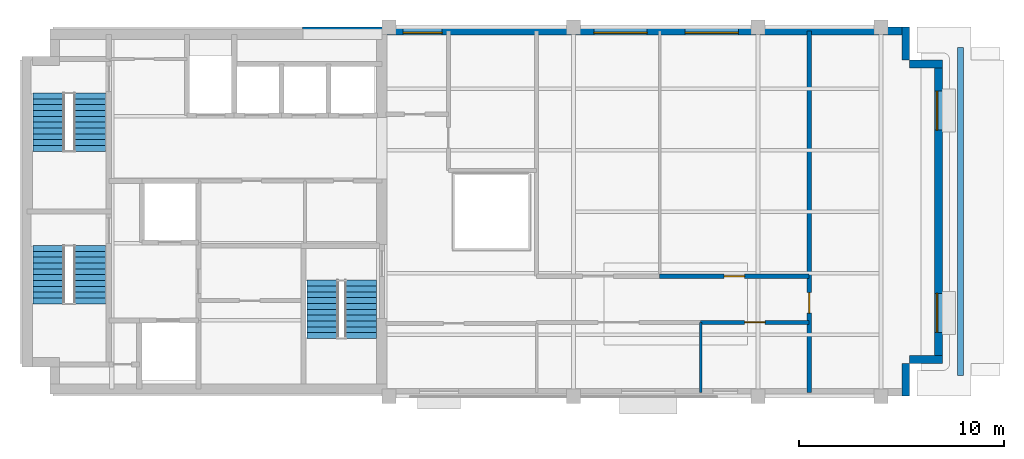
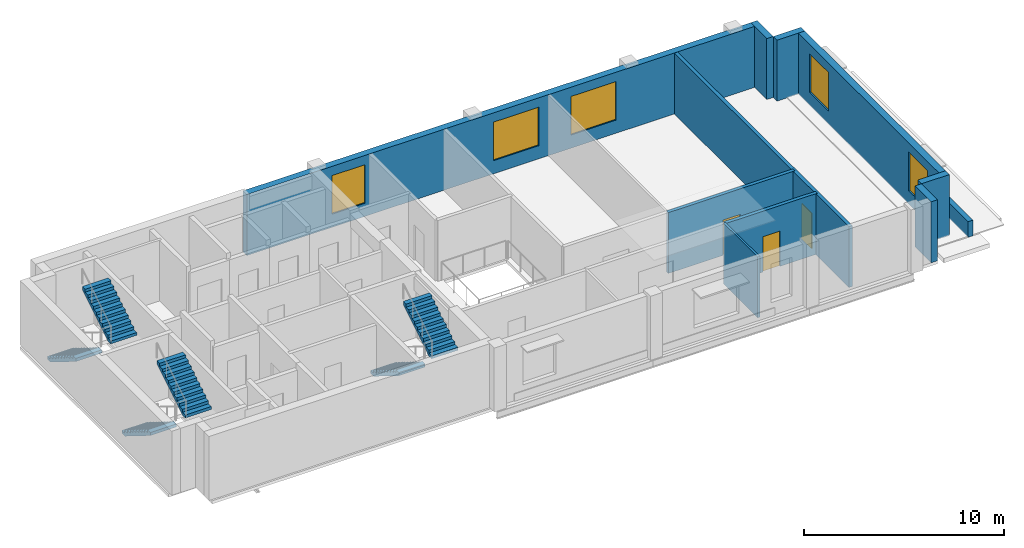
# One storey, part 4 of 5: 11 walls, 6 stair flights, 5 windows, 3 doors, 8 openings, 3 elements without a shape of their own.
"""IFC4 building model written with IfcOpenShell, lengths in metres."""

import ifcopenshell
import ifcopenshell.guid

model = None  # the IFC model being written
_history = None  # IfcOwnerHistory: only IFC2X3 demands one
_inside = {}  # id of a spatial element -> (the spatial element, [elements in it])
_under = {}  # id of a project, library or spatial element -> (it, [spatial elements below it])
_declared = {}  # id of a project -> (the project, [libraries it declares])
_typed = {}  # id of a type object -> (the type object, [elements of that type])
_made_of = {}  # id of a material, layer set ... -> (it, [elements and type objects made of it])


def new_model(schema):
    """Start an empty IFC model of exactly this schema.

    Asked for "IFC4X3", IfcOpenShell would pick the latest addendum, in which some entities
    have other attributes; the version numbers below select the first issue.
    IFC2X3 requires an IfcOwnerHistory on every rooted entity: one is made here for all.
    """
    global model, _history
    if schema == "IFC4X3":
        model = ifcopenshell.file(schema_version=(4, 3, 0, 0))
    else:
        model = ifcopenshell.file(schema=schema)
    _inside.clear()
    _under.clear()
    _declared.clear()
    _typed.clear()
    _made_of.clear()
    _history = None
    if model.schema == "IFC2X3":
        org = make("IfcOrganization", Name="unknown")
        user = make(
            "IfcPersonAndOrganization",
            ThePerson=make("IfcPerson", FamilyName="unknown"),
            TheOrganization=org,
        )
        app = make(
            "IfcApplication",
            ApplicationDeveloper=org,
            Version="unknown",
            ApplicationFullName="unknown",
            ApplicationIdentifier="unknown",
        )
        _history = make(
            "IfcOwnerHistory",
            OwningUser=user,
            OwningApplication=app,
            ChangeAction="ADDED",
            CreationDate=0,
        )
    return model


def make(cls, **values):
    """One entity of the class cls with the attributes given. An attribute that is None is left unset."""
    return model.create_entity(
        cls, **{name: value for name, value in values.items() if value is not None}
    )


def rooted(cls, **values):
    """An entity with a GlobalId (a new one), such as an element, a storey or a relation."""
    return make(cls, GlobalId=ifcopenshell.guid.new(), OwnerHistory=_history, **values)


def si_unit(unit_type, name, prefix=None):
    """IfcSIUnit, for example si_unit("LENGTHUNIT", "METRE", prefix="MILLI")."""
    return make("IfcSIUnit", UnitType=unit_type, Prefix=prefix, Name=name)


def assignment(units):
    """IfcUnitAssignment: the units of a project."""
    return None if units is None else make("IfcUnitAssignment", Units=units)


def point(xyz):
    """IfcCartesianPoint."""
    return None if xyz is None else make("IfcCartesianPoint", Coordinates=xyz)


def direction(xyz):
    """IfcDirection."""
    return None if xyz is None else make("IfcDirection", DirectionRatios=xyz)


def frame(location, z_axis=None, x_axis=None):
    """IfcAxis2Placement3D, a coordinate frame: its origin and axes. An axis left out is left unset."""
    return make(
        "IfcAxis2Placement3D",
        Location=point(location),
        Axis=direction(z_axis),
        RefDirection=direction(x_axis),
    )


def frame_2d(location, x_axis=None):
    """IfcAxis2Placement2D, a coordinate frame in the plane: its origin and x axis."""
    return make(
        "IfcAxis2Placement2D", Location=point(location), RefDirection=direction(x_axis)
    )


def origin():
    """The frame at (0, 0, 0) with its axes left unset."""
    return frame((0.0, 0.0, 0.0))


def place(relative_to, where):
    """IfcLocalPlacement: puts the frame where relative to a parent placement (None: the world)."""
    return make(
        "IfcLocalPlacement", PlacementRelTo=relative_to, RelativePlacement=where
    )


def context(
    kind, dimensions, precision=None, world=None, true_north=None, identifier=None
):
    """IfcGeometricRepresentationContext, for example the 3D "Model" context."""
    return make(
        "IfcGeometricRepresentationContext",
        ContextIdentifier=identifier,
        ContextType=kind,
        CoordinateSpaceDimension=dimensions,
        Precision=precision,
        WorldCoordinateSystem=world,
        TrueNorth=true_north,
    )


def subcontext(parent, identifier, kind, view, scale=None):
    """IfcGeometricRepresentationSubContext, for example "Body" below "Model"."""
    return make(
        "IfcGeometricRepresentationSubContext",
        ContextIdentifier=identifier,
        ContextType=kind,
        ParentContext=parent,
        TargetScale=scale,
        TargetView=view,
    )


def project(units=None, contexts=None):
    """IfcProject with its units and contexts."""
    return rooted(
        "IfcProject",
        Name="project",
        RepresentationContexts=contexts,
        UnitsInContext=assignment(units),
    )


def spatial(cls, under=None, at=None, **own):
    """A site, building, storey or space (cls), placed at a placement, below another one or the project."""
    s = rooted(cls, ObjectPlacement=at, **own)
    if under is not None:
        _under.setdefault(under.id(), (under, []))[1].append(s)
    return s


def polyline(points):
    """IfcPolyline through the points."""
    return make("IfcPolyline", Points=[point(p) for p in points])


def profile(cls, at=None, kind="AREA", **sizes):
    """A parametric profile (cls). Its sizes go by their IFC names, for example OverallWidth=200.0."""
    return make(cls, ProfileType=kind, Position=at, **sizes)


def rectangle(**sizes):
    """IfcRectangleProfileDef."""
    return profile("IfcRectangleProfileDef", **sizes)


def outline(outer, holes=None, kind="AREA"):
    """IfcArbitraryClosedProfileDef: a profile drawn as a closed curve; with holes, ...WithVoids."""
    if holes is None:
        return make("IfcArbitraryClosedProfileDef", ProfileType=kind, OuterCurve=outer)
    return make(
        "IfcArbitraryProfileDefWithVoids",
        ProfileType=kind,
        OuterCurve=outer,
        InnerCurves=holes,
    )


def extrude(swept, where, along, depth):
    """IfcExtrudedAreaSolid: the profile swept, set in the frame where, extruded along a direction by depth."""
    return make(
        "IfcExtrudedAreaSolid",
        SweptArea=swept,
        Position=where,
        ExtrudedDirection=direction(along),
        Depth=depth,
    )


def shape(context_of_items, identifier, shape_type, items):
    """IfcShapeRepresentation: the items that make up one representation, for example the "Body"."""
    return make(
        "IfcShapeRepresentation",
        ContextOfItems=context_of_items,
        RepresentationIdentifier=identifier,
        RepresentationType=shape_type,
        Items=items,
    )


def material(Name=None, Category=None):
    """IfcMaterial."""
    return make("IfcMaterial", Name=Name, Category=Category)


def layer(
    of_material, thickness, ventilated=None, Name=None, Category=None, Priority=None
):
    """IfcMaterialLayer: one layer of a wall or slab, of a material (None: an air gap)."""
    return make(
        "IfcMaterialLayer",
        Material=of_material,
        LayerThickness=thickness,
        IsVentilated=ventilated,
        Name=Name,
        Category=Category,
        Priority=Priority,
    )


def layer_set(layers, Name=None):
    """IfcMaterialLayerSet."""
    return make("IfcMaterialLayerSet", MaterialLayers=layers, LayerSetName=Name)


def made_of(thing, what):
    """Note that an element or type object is made of a material, layer set ...; save() writes the relation."""
    if what is not None:
        _made_of.setdefault(what.id(), (what, []))[1].append(thing)
    return thing


def type_object(cls, material=None, **own):
    """A type object (cls), such as IfcWallType, which elements share."""
    return made_of(rooted(cls, **own), material)


def element(
    cls,
    number,
    at=None,
    inside=None,
    cuts=None,
    type_object=None,
    material=None,
    context=None,
    identifier="Body",
    shape_type=None,
    held_by="IfcProductDefinitionShape",
    body=None,
    shapes=None,
    **own,
):
    """One element of the class cls, such as IfcWall. Its Tag is "e" and its number.

    at: its placement. inside: the storey or other place that contains it. cuts: it is an
    opening in that element (IfcRelVoidsElement). A single representation is given by context,
    identifier, shape_type and body (its items); several are given by shapes. held_by: the class
    of the entity that holds the representations. save() writes the other relations.
    """
    e = rooted(cls, Tag="e%d" % number, ObjectPlacement=at, **own)
    if body is not None:
        shapes = [shape(context, identifier, shape_type, body)]
    if shapes is not None:
        e.Representation = make(held_by, Representations=shapes)
    if inside is not None:
        _inside.setdefault(inside.id(), (inside, []))[1].append(e)
    if cuts is not None:
        rooted(
            "IfcRelVoidsElement", RelatingBuildingElement=cuts, RelatedOpeningElement=e
        )
    if type_object is not None:
        _typed.setdefault(type_object.id(), (type_object, []))[1].append(e)
    return made_of(e, material)


def fill(opening, filler):
    """IfcRelFillsElement: the door or window that sits in an opening."""
    return rooted(
        "IfcRelFillsElement",
        RelatingOpeningElement=opening,
        RelatedBuildingElement=filler,
    )


def aggregate(whole, parts):
    """IfcRelAggregates: a whole, such as a stair, and the parts it consists of."""
    return rooted("IfcRelAggregates", RelatingObject=whole, RelatedObjects=parts)


def save(model, path):
    """Write the relations noted so far, then the file.

    IfcRelAggregates (storeys below a building ...), IfcRelContainedInSpatialStructure (elements
    in a storey), IfcRelDefinesByType, IfcRelAssociatesMaterial and IfcRelDeclares: one each for
    every whole, place, type object, material and project.
    """
    for whole, parts in _under.values():
        aggregate(whole, parts)
    for where, things in _inside.values():
        rooted(
            "IfcRelContainedInSpatialStructure",
            RelatedElements=things,
            RelatingStructure=where,
        )
    for kind, things in _typed.values():
        rooted("IfcRelDefinesByType", RelatedObjects=things, RelatingType=kind)
    for what, things in _made_of.values():
        rooted("IfcRelAssociatesMaterial", RelatedObjects=things, RelatingMaterial=what)
    for by, libraries in _declared.values():
        rooted("IfcRelDeclares", RelatingContext=by, RelatedDefinitions=libraries)
    model.write(path)


model = new_model("IFC4")

# Units and contexts
model_context = context("Model", 3, precision=1e-05, world=origin(), true_north=direction((0.0, 1.0)))
body_context = subcontext(model_context, "Body", "Model", "MODEL_VIEW")
ifc_project = project(units=[si_unit("LENGTHUNIT", "METRE"), si_unit("AREAUNIT", "SQUARE_METRE"), si_unit("VOLUMEUNIT", "CUBIC_METRE"), si_unit("PLANEANGLEUNIT", "RADIAN"), si_unit("MASSUNIT", "GRAM", prefix="KILO")], contexts=[model_context])

# Site, building, storey
site_placement = place(None, origin())
site = spatial("IfcSite", under=ifc_project, at=site_placement, CompositionType="ELEMENT")
building_placement = place(site_placement, origin())
building = spatial("IfcBuilding", under=site, at=building_placement, Name="Mawjdan Bourse Tower", CompositionType="ELEMENT")
storey_placement = place(building_placement, frame((0.0, 0.0, 285.89990234375)))
storey = spatial("IfcBuildingStorey", under=building, at=storey_placement, Name="L70", CompositionType="ELEMENT", Elevation=285.89990234375)

# Walls
ifc_material_1 = material(Name="Brick Masonry Terracotta Red", Category="masonry")
ifc_layer_1 = layer(ifc_material_1, 0.3798828125)
ifc_layer_set_1 = layer_set([ifc_layer_1], Name="Brick Masonry Terracotta Red")
wall_type_1 = type_object("IfcWallType", Name="WL-BRK-RED-380", PredefinedType="STANDARD", material=ifc_layer_set_1)
for number, where, z_axis, x_axis, name in (
    (1, (49.2099609375, 3.0, 0.0), (0.0, 0.0, 1.0), (0.0, 1.0, 0.0), "L70 Exterior Brick Wall 2"),
    (2, (49.39990234375, 4.7900390625, 0.0), (0.0, 0.0, 1.0), (1.0, 0.0, 0.0), "L70 Exterior Brick Wall 3"),
):
    element("IfcWall", number, at=place(storey_placement, frame(where, z_axis=z_axis, x_axis=x_axis)), inside=storey, type_object=wall_type_1, Name=name, PredefinedType="STANDARD", context=body_context, shape_type="SweptSolid", body=[
        extrude(rectangle(XDim=1.60009765625, YDim=0.3798828125, at=frame_2d((0.800048828125, 0.0))), origin(), (0.0, 0.0, 1.0), 3.715087890625),
    ])

# Wall, openings, windows
wall_1_placement = place(storey_placement, frame((50.81005859375, 4.60009765625, 0.0), z_axis=(0.0, 0.0, 1.0), x_axis=(0.0, 1.0, 0.0)))
wall_1 = element("IfcWall", 3, at=wall_1_placement, inside=storey, type_object=wall_type_1, Name="L70 Exterior Brick Wall 4", PredefinedType="STANDARD", context=body_context, shape_type="SweptSolid", body=[
    extrude(rectangle(XDim=14.7998046875, YDim=0.3798828125, at=frame_2d((7.39990234375, 0.0))), origin(), (0.0, 0.0, 1.0), 3.715087890625),
])
opening_1_placement = place(wall_1_placement, frame((1.5166015625, 0.0, 0.800048828125)))
opening_1 = element("IfcOpeningElement", 4, at=opening_1_placement, cuts=wall_1, Name="Opening W-L70-03", PredefinedType="OPENING", context=body_context, shape_type="SweptSolid", body=[
    extrude(rectangle(XDim=1.89990234375, YDim=2.35009765625, at=frame_2d((0.949951171875, 1.175048828125))), frame((0.0, 0.199951171875, 0.0), z_axis=(0.0, -1.0, 0.0), x_axis=(1.0, 0.0, 0.0)), (0.0, 0.0, 1.0), 0.39990234375),
])
opening_2_placement = place(wall_1_placement, frame((11.38330078125, 0.0, 0.800048828125)))
opening_2 = element("IfcOpeningElement", 5, at=opening_2_placement, cuts=wall_1, Name="Opening W-L70-04", PredefinedType="OPENING", context=body_context, shape_type="SweptSolid", body=[
    extrude(rectangle(XDim=1.89990234375, YDim=2.35009765625, at=frame_2d((0.949951171875, 1.175048828125))), frame((0.0, 0.199951171875, 0.0), z_axis=(0.0, -1.0, 0.0), x_axis=(1.0, 0.0, 0.0)), (0.0, 0.0, 1.0), 0.39990234375),
])
ifc_material_2 = material(Name="Solar-Control Clear Double Glazing", Category="glass")
window_type_1 = type_object("IfcWindowType", Name="WN-SMT-1900", PartitioningType="SINGLE_PANEL", PredefinedType="WINDOW", material=ifc_material_2)
window_1_placement = place(opening_1_placement, origin())
window_1 = element("IfcWindow", 6, at=window_1_placement, inside=storey, type_object=window_type_1, Name="L70 Deep-Set Masonry Window W-L70-03", OverallHeight=2.35009765625, OverallWidth=1.89990234375, PartitioningType="SINGLE_PANEL", PredefinedType="WINDOW", context=body_context, shape_type="SweptSolid", body=[
    extrude(rectangle(XDim=1.89990234375, YDim=2.35009765625, at=frame_2d((0.949951171875, 1.175048828125))), frame((0.0, 0.110107421875, 0.0), z_axis=(0.0, -1.0, 0.0), x_axis=(1.0, 0.0, 0.0)), (0.0, 0.0, 1.0), 0.06005859375),
])
fill(opening_1, window_1)
window_2_placement = place(opening_2_placement, origin())
window_2 = element("IfcWindow", 7, at=window_2_placement, inside=storey, type_object=window_type_1, Name="L70 Deep-Set Masonry Window W-L70-04", OverallHeight=2.35009765625, OverallWidth=1.89990234375, PartitioningType="SINGLE_PANEL", PredefinedType="WINDOW", context=body_context, shape_type="SweptSolid", body=[
    extrude(rectangle(XDim=1.89990234375, YDim=2.35009765625, at=frame_2d((0.949951171875, 1.175048828125))), frame((0.0, 0.110107421875, 0.0), z_axis=(0.0, -1.0, 0.0), x_axis=(1.0, 0.0, 0.0)), (0.0, 0.0, 1.0), 0.06005859375),
])
fill(opening_2, window_2)

# Walls
for number, where, z_axis, x_axis, name in (
    (8, (51.0, 19.2099609375, 0.0), (0.0, 0.0, 1.0), (-1.0, 0.0, 0.0), "L70 Exterior Brick Wall 5"),
    (9, (49.2099609375, 19.39990234375, 0.0), (0.0, 0.0, 1.0), (0.0, 1.0, 0.0), "L70 Exterior Brick Wall 6"),
):
    element("IfcWall", number, at=place(storey_placement, frame(where, z_axis=z_axis, x_axis=x_axis)), inside=storey, type_object=wall_type_1, Name=name, PredefinedType="STANDARD", context=body_context, shape_type="SweptSolid", body=[
        extrude(rectangle(XDim=1.60009765625, YDim=0.3798828125, at=frame_2d((0.800048828125, 0.0))), origin(), (0.0, 0.0, 1.0), 3.715087890625),
    ])

# Wall, openings, windows
wall_2_placement = place(storey_placement, frame((49.39990234375, 20.81005859375, 0.0), z_axis=(0.0, 0.0, 1.0), x_axis=(-1.0, 0.0, 0.0)))
wall_2 = element("IfcWall", 10, at=wall_2_placement, inside=storey, type_object=wall_type_1, Name="L70 Exterior Brick Wall 7", PredefinedType="STANDARD", context=body_context, shape_type="SweptSolid", body=[
    extrude(rectangle(XDim=29.619873046875, YDim=0.3798828125, at=frame_2d((14.81005859375, 0.0))), origin(), (0.0, 0.0, 1.0), 3.715087890625),
])
opening_3_placement = place(wall_2_placement, frame((22.813720703125, 0.0, 0.800048828125)))
opening_3 = element("IfcOpeningElement", 11, at=opening_3_placement, cuts=wall_2, Name="Opening W-L70-05", PredefinedType="OPENING", context=body_context, shape_type="SweptSolid", body=[
    extrude(rectangle(XDim=1.89990234375, YDim=2.35009765625, at=frame_2d((0.949951171875, 1.175048828125))), frame((0.0, 0.199951171875, 0.0), z_axis=(0.0, -1.0, 0.0), x_axis=(1.0, 0.0, 0.0)), (0.0, 0.0, 1.0), 0.39990234375),
])
opening_4_placement = place(wall_2_placement, frame((12.804443359375, 0.0, 0.800048828125)))
opening_4 = element("IfcOpeningElement", 12, at=opening_4_placement, cuts=wall_2, Name="Opening W-L70-07", PredefinedType="OPENING", context=body_context, shape_type="SweptSolid", body=[
    extrude(rectangle(XDim=2.60009765625, YDim=2.35009765625, at=frame_2d((1.300048828125, 1.175048828125))), frame((0.0, 0.199951171875, 0.0), z_axis=(0.0, -1.0, 0.0), x_axis=(1.0, 0.0, 0.0)), (0.0, 0.0, 1.0), 0.39990234375),
])
opening_5_placement = place(wall_2_placement, frame((8.3544921875, 0.0, 0.800048828125)))
opening_5 = element("IfcOpeningElement", 13, at=opening_5_placement, cuts=wall_2, Name="Opening W-L70-08", PredefinedType="OPENING", context=body_context, shape_type="SweptSolid", body=[
    extrude(rectangle(XDim=2.60009765625, YDim=2.35009765625, at=frame_2d((1.300048828125, 1.175048828125))), frame((0.0, 0.199951171875, 0.0), z_axis=(0.0, -1.0, 0.0), x_axis=(1.0, 0.0, 0.0)), (0.0, 0.0, 1.0), 0.39990234375),
])
window_3_placement = place(opening_3_placement, origin())
window_3 = element("IfcWindow", 14, at=window_3_placement, inside=storey, type_object=window_type_1, Name="L70 Deep-Set Masonry Window W-L70-05", OverallHeight=2.35009765625, OverallWidth=1.89990234375, PartitioningType="SINGLE_PANEL", PredefinedType="WINDOW", context=body_context, shape_type="SweptSolid", body=[
    extrude(rectangle(XDim=1.89990234375, YDim=2.35009765625, at=frame_2d((0.949951171875, 1.175048828125))), frame((0.0, 0.110107421875, 0.0), z_axis=(0.0, -1.0, 0.0), x_axis=(1.0, 0.0, 0.0)), (0.0, 0.0, 1.0), 0.06005859375),
])
fill(opening_3, window_3)
window_type_2 = type_object("IfcWindowType", Name="WN-SMT-2600", PartitioningType="SINGLE_PANEL", PredefinedType="WINDOW", material=ifc_material_2)
window_4_placement = place(opening_4_placement, origin())
window_4 = element("IfcWindow", 15, at=window_4_placement, inside=storey, type_object=window_type_2, Name="L70 Deep-Set Masonry Window W-L70-07", OverallHeight=2.35009765625, OverallWidth=2.60009765625, PartitioningType="SINGLE_PANEL", PredefinedType="WINDOW", context=body_context, shape_type="SweptSolid", body=[
    extrude(rectangle(XDim=2.60009765625, YDim=2.35009765625, at=frame_2d((1.300048828125, 1.175048828125))), frame((0.0, 0.110107421875, 0.0), z_axis=(0.0, -1.0, 0.0), x_axis=(1.0, 0.0, 0.0)), (0.0, 0.0, 1.0), 0.06005859375),
])
fill(opening_4, window_4)
window_5_placement = place(opening_5_placement, origin())
window_5 = element("IfcWindow", 16, at=window_5_placement, inside=storey, type_object=window_type_2, Name="L70 Deep-Set Masonry Window W-L70-08", OverallHeight=2.35009765625, OverallWidth=2.60009765625, PartitioningType="SINGLE_PANEL", PredefinedType="WINDOW", context=body_context, shape_type="SweptSolid", body=[
    extrude(rectangle(XDim=2.60009765625, YDim=2.35009765625, at=frame_2d((1.300048828125, 1.175048828125))), frame((0.0, 0.110107421875, 0.0), z_axis=(0.0, -1.0, 0.0), x_axis=(1.0, 0.0, 0.0)), (0.0, 0.0, 1.0), 0.06005859375),
])
fill(opening_5, window_5)

# Wall, opening, door
ifc_material_3 = material(Name="Gypsum Fireboard Assembly")
ifc_layer_2 = layer(ifc_material_3, 0.199951171875)
ifc_layer_set_2 = layer_set([ifc_layer_2], Name="Gypsum Fireboard Assembly")
wall_type_2 = type_object("IfcWallType", Name="WL-CMP-200", PredefinedType="PARTITIONING", material=ifc_layer_set_2)
wall_3_placement = place(storey_placement, frame((39.199951171875, 6.60009765625, 0.0), z_axis=(0.0, 0.0, 1.0), x_axis=(1.0, 0.0, 0.0)))
wall_3 = element("IfcWall", 17, at=wall_3_placement, inside=storey, type_object=wall_type_2, Name="L70 Executive Office Corridor Wall", PredefinedType="PARTITIONING", context=body_context, shape_type="SweptSolid", body=[
    extrude(rectangle(XDim=5.300048828125, YDim=0.199951171875, at=frame_2d((2.64990234375, 0.0))), origin(), (0.0, 0.0, 1.0), 3.705078125),
])
opening_6_placement = place(wall_3_placement, frame((2.14990234375, 0.0, 0.0)))
opening_6 = element("IfcOpeningElement", 18, at=opening_6_placement, cuts=wall_3, Name="Opening D-L70-21", PredefinedType="OPENING", context=body_context, shape_type="SweptSolid", body=[
    extrude(rectangle(XDim=1.0, YDim=2.14990234375, at=frame_2d((0.5, 1.074951171875))), frame((0.0, 0.10986328125, 0.0), z_axis=(0.0, -1.0, 0.0), x_axis=(1.0, 0.0, 0.0)), (0.0, 0.0, 1.0), 0.219970703125),
])
ifc_material_4 = material(Name="Hardwood Acoustic Leaf", Category="wood")
door_type = type_object("IfcDoorType", Name="DR-OFC-1000", OperationType="NOTDEFINED", PredefinedType="DOOR", material=ifc_material_4)
door_1_placement = place(opening_6_placement, origin())
door_1 = element("IfcDoor", 19, at=door_1_placement, inside=storey, type_object=door_type, Name="L70 Executive Office Door D-L70-21", OperationType="SINGLE_SWING_RIGHT", OverallHeight=2.14990234375, OverallWidth=1.0, PredefinedType="DOOR", context=body_context, shape_type="SweptSolid", body=[
    extrude(rectangle(XDim=1.0, YDim=2.14990234375, at=frame_2d((0.5, 1.074951171875))), frame((0.0, 0.02490234375, 0.0), z_axis=(0.0, -1.0, 0.0), x_axis=(1.0, 0.0, 0.0)), (0.0, 0.0, 1.0), 0.050048828125),
])
fill(opening_6, door_1)

wall_4_placement = place(storey_placement, frame((37.199951171875, 8.85009765625, 0.0), z_axis=(0.0, 0.0, 1.0), x_axis=(1.0, 0.0, 0.0)))
wall_4 = element("IfcWall", 20, at=wall_4_placement, inside=storey, type_object=wall_type_2, Name="L70 Chief Risk Officer Office Corridor Wall", PredefinedType="PARTITIONING", context=body_context, shape_type="SweptSolid", body=[
    extrude(rectangle(XDim=7.300048828125, YDim=0.199951171875, at=frame_2d((3.64990234375, 0.0))), origin(), (0.0, 0.0, 1.0), 3.705078125),
])
opening_7_placement = place(wall_4_placement, frame((3.14990234375, 0.0, 0.0)))
opening_7 = element("IfcOpeningElement", 21, at=opening_7_placement, cuts=wall_4, Name="Opening D-L70-23", PredefinedType="OPENING", context=body_context, shape_type="SweptSolid", body=[
    extrude(rectangle(XDim=1.0, YDim=2.14990234375, at=frame_2d((0.5, 1.074951171875))), frame((0.0, 0.10986328125, 0.0), z_axis=(0.0, -1.0, 0.0), x_axis=(1.0, 0.0, 0.0)), (0.0, 0.0, 1.0), 0.219970703125),
])
door_2_placement = place(opening_7_placement, origin())
door_2 = element("IfcDoor", 22, at=door_2_placement, inside=storey, type_object=door_type, Name="L70 Chief Risk Officer Office Door D-L70-23", OperationType="SINGLE_SWING_LEFT", OverallHeight=2.14990234375, OverallWidth=1.0, PredefinedType="DOOR", context=body_context, shape_type="SweptSolid", body=[
    extrude(rectangle(XDim=1.0, YDim=2.14990234375, at=frame_2d((0.5, 1.074951171875))), frame((0.0, 0.02490234375, 0.0), z_axis=(0.0, -1.0, 0.0), x_axis=(1.0, 0.0, 0.0)), (0.0, 0.0, 1.0), 0.050048828125),
])
fill(opening_7, door_2)

wall_5_placement = place(storey_placement, frame((44.5, 3.179931640625, 0.0), z_axis=(0.0, 0.0, 1.0), x_axis=(0.0, 1.0, 0.0)))
wall_5 = element("IfcWall", 23, at=wall_5_placement, inside=storey, type_object=wall_type_2, Name="L70 East Tip Full Cross Wall", PredefinedType="PARTITIONING", context=body_context, shape_type="SweptSolid", body=[
    extrude(rectangle(XDim=17.64013671875, YDim=0.199951171875, at=frame_2d((8.820068359375, 0.0))), origin(), (0.0, 0.0, 1.0), 3.705078125),
])
opening_8_placement = place(wall_5_placement, frame((3.875, 0.0, 0.0)))
opening_8 = element("IfcOpeningElement", 24, at=opening_8_placement, cuts=wall_5, Name="Opening D-L70-24", PredefinedType="OPENING", context=body_context, shape_type="SweptSolid", body=[
    extrude(rectangle(XDim=1.0, YDim=2.14990234375, at=frame_2d((0.5, 1.074951171875))), frame((0.0, 0.10986328125, 0.0), z_axis=(0.0, -1.0, 0.0), x_axis=(1.0, 0.0, 0.0)), (0.0, 0.0, 1.0), 0.219970703125),
])
door_3_placement = place(opening_8_placement, origin())
door_3 = element("IfcDoor", 25, at=door_3_placement, inside=storey, type_object=door_type, Name="L70 East Tip Hall Door D-L70-24", OperationType="SINGLE_SWING_RIGHT", OverallHeight=2.14990234375, OverallWidth=1.0, PredefinedType="DOOR", context=body_context, shape_type="SweptSolid", body=[
    extrude(rectangle(XDim=1.0, YDim=2.14990234375, at=frame_2d((0.5, 1.074951171875))), frame((0.0, 0.02490234375, 0.0), z_axis=(0.0, -1.0, 0.0), x_axis=(1.0, 0.0, 0.0)), (0.0, 0.0, 1.0), 0.050048828125),
])
fill(opening_8, door_3)

# Walls
ifc_material_5 = material(Name="Brick Masonry Buff", Category="masonry")
ifc_layer_3 = layer(ifc_material_5, 0.280029296875)
ifc_layer_set_3 = layer_set([ifc_layer_3], Name="Brick Masonry Buff")
wall_type_3 = type_object("IfcWallType", Name="WL-PRP-280", PredefinedType="PARAPET", material=ifc_layer_set_3)
wall_6_placement = place(storey_placement, frame((51.875, 4.0, 0.0), z_axis=(0.0, 0.0, 1.0), x_axis=(0.0, 1.0, 0.0)))
element("IfcWall", 26, at=wall_6_placement, inside=storey, type_object=wall_type_3, Name="L70 Setback Roof Parapet", PredefinedType="PARAPET", context=body_context, shape_type="SweptSolid", body=[
    extrude(rectangle(XDim=16.0, YDim=0.280029296875, at=frame_2d((8.0, 0.0))), origin(), (0.0, 0.0, 1.0), 0.9501953125),
])
ifc_material_6 = material(Name="Gypsum Partition")
ifc_layer_4 = layer(ifc_material_6, 0.125)
ifc_layer_set_4 = layer_set([ifc_layer_4], Name="Gypsum Partition")
wall_type_4 = type_object("IfcWallType", Name="WL-PRT-125", PredefinedType="PARTITIONING", material=ifc_layer_set_4)
wall_7_placement = place(storey_placement, frame((39.199951171875, 3.179931640625, 0.0), z_axis=(0.0, 0.0, 1.0), x_axis=(0.0, 1.0, 0.0)))
element("IfcWall", 27, at=wall_7_placement, inside=storey, type_object=wall_type_4, Name="L70 Executive Office Partition", PredefinedType="PARTITIONING", context=body_context, shape_type="SweptSolid", body=[
    extrude(rectangle(XDim=3.420166015625, YDim=0.125, at=frame_2d((1.7099609375, 0.0))), origin(), (0.0, 0.0, 1.0), 3.705078125),
])

# Stair, stair flights
ifc_material_7 = material(Name="Concrete C50/60", Category="concrete")
stair_type = type_object("IfcStairType", Name="STR-CORE-1500", PredefinedType="HALF_TURN_STAIR", material=ifc_material_7)
stair_1_placement = place(storey_placement, origin())
stair_1 = element("IfcStair", 28, at=stair_1_placement, inside=storey, type_object=stair_type, Name="L70 Exit Stair 1 (Core South-West)", PredefinedType="HALF_TURN_STAIR")
stair_flight_type = type_object("IfcStairFlightType", Name="SFL-RC-1500", PredefinedType="STRAIGHT", material=ifc_material_7)
stair_flight_1_placement = place(storey_placement, frame((7.389892578125, 10.35009765625, 0.0), z_axis=(0.0, 0.0, 1.0), x_axis=(0.0, -1.0, 0.0)))
stair_flight_1 = element("IfcStairFlight", 29, at=stair_flight_1_placement, type_object=stair_flight_type, Name="ST1-L70 flight 1", NumberOfRisers=11, NumberOfTreads=10, PredefinedType="STRAIGHT", RiserHeight=0.177273, TreadLength=0.285, context=body_context, shape_type="SweptSolid", body=[
    extrude(outline(polyline([(0.0, 0.0), (0.0, 0.17724609375), (0.284912109375, 0.17724609375), (0.284912109375, 0.3544921875), (0.570068359375, 0.3544921875), (0.570068359375, 0.53173828125), (0.85498046875, 0.53173828125), (0.85498046875, 0.708984375), (1.139892578125, 0.708984375), (1.139892578125, 0.886474609375), (1.425048828125, 0.886474609375), (1.425048828125, 1.063720703125), (1.7099609375, 1.063720703125), (1.7099609375, 1.240966796875), (1.9951171875, 1.240966796875), (1.9951171875, 1.418212890625), (2.280029296875, 1.418212890625), (2.280029296875, 1.595458984375), (2.56494140625, 1.595458984375), (2.56494140625, 1.772705078125), (2.85009765625, 1.772705078125), (2.85009765625, 1.949951171875), (2.85009765625, 1.58447265625), (0.302734375, 0.0), (0.0, 0.0)])), frame((0.0, 0.75, 0.0), z_axis=(0.0, -1.0, 0.0), x_axis=(1.0, 0.0, 0.0)), (0.0, 0.0, 1.0), 1.5),
])
stair_flight_2_placement = place(storey_placement, frame((9.409912109375, 7.5, 1.9501953125), z_axis=(0.0, 0.0, 1.0), x_axis=(0.0, 1.0, 0.0)))
stair_flight_2 = element("IfcStairFlight", 30, at=stair_flight_2_placement, type_object=stair_flight_type, Name="ST1-L70 flight 2", NumberOfRisers=11, NumberOfTreads=10, PredefinedType="STRAIGHT", RiserHeight=0.177273, TreadLength=0.285, context=body_context, shape_type="SweptSolid", body=[
    extrude(outline(polyline([(0.0, 0.0), (0.0, 0.17724609375), (0.284912109375, 0.17724609375), (0.284912109375, 0.3544921875), (0.570068359375, 0.3544921875), (0.570068359375, 0.53173828125), (0.85498046875, 0.53173828125), (0.85498046875, 0.708984375), (1.139892578125, 0.708984375), (1.139892578125, 0.886474609375), (1.425048828125, 0.886474609375), (1.425048828125, 1.063720703125), (1.7099609375, 1.063720703125), (1.7099609375, 1.240966796875), (1.9951171875, 1.240966796875), (1.9951171875, 1.418212890625), (2.280029296875, 1.418212890625), (2.280029296875, 1.595458984375), (2.56494140625, 1.595458984375), (2.56494140625, 1.772705078125), (2.85009765625, 1.772705078125), (2.85009765625, 1.949951171875), (2.85009765625, 1.58447265625), (0.302734375, 0.0), (0.0, 0.0)])), frame((0.0, 0.75, 0.0), z_axis=(0.0, -1.0, 0.0), x_axis=(1.0, 0.0, 0.0)), (0.0, 0.0, 1.0), 1.5),
])
aggregate(stair_1, [stair_flight_1, stair_flight_2])

stair_2_placement = place(storey_placement, origin())
stair_2 = element("IfcStair", 31, at=stair_2_placement, inside=storey, type_object=stair_type, Name="L70 Exit Stair 2 (Core North-West)", PredefinedType="HALF_TURN_STAIR")
stair_flight_3_placement = place(storey_placement, frame((7.389892578125, 17.7900390625, 0.0), z_axis=(0.0, 0.0, 1.0), x_axis=(0.0, -1.0, 0.0)))
stair_flight_3 = element("IfcStairFlight", 32, at=stair_flight_3_placement, type_object=stair_flight_type, Name="ST2-L70 flight 1", NumberOfRisers=11, NumberOfTreads=10, PredefinedType="STRAIGHT", RiserHeight=0.177273, TreadLength=0.285, context=body_context, shape_type="SweptSolid", body=[
    extrude(outline(polyline([(0.0, 0.0), (0.0, 0.17724609375), (0.284912109375, 0.17724609375), (0.284912109375, 0.3544921875), (0.570068359375, 0.3544921875), (0.570068359375, 0.53173828125), (0.85498046875, 0.53173828125), (0.85498046875, 0.708984375), (1.139892578125, 0.708984375), (1.139892578125, 0.886474609375), (1.425048828125, 0.886474609375), (1.425048828125, 1.063720703125), (1.7099609375, 1.063720703125), (1.7099609375, 1.240966796875), (1.9951171875, 1.240966796875), (1.9951171875, 1.418212890625), (2.280029296875, 1.418212890625), (2.280029296875, 1.595458984375), (2.56494140625, 1.595458984375), (2.56494140625, 1.772705078125), (2.85009765625, 1.772705078125), (2.85009765625, 1.949951171875), (2.85009765625, 1.58447265625), (0.302734375, 0.0), (0.0, 0.0)])), frame((0.0, 0.75, 0.0), z_axis=(0.0, -1.0, 0.0), x_axis=(1.0, 0.0, 0.0)), (0.0, 0.0, 1.0), 1.5),
])
stair_flight_4_placement = place(storey_placement, frame((9.409912109375, 14.93994140625, 1.9501953125), z_axis=(0.0, 0.0, 1.0), x_axis=(0.0, 1.0, 0.0)))
stair_flight_4 = element("IfcStairFlight", 33, at=stair_flight_4_placement, type_object=stair_flight_type, Name="ST2-L70 flight 2", NumberOfRisers=11, NumberOfTreads=10, PredefinedType="STRAIGHT", RiserHeight=0.177273, TreadLength=0.285, context=body_context, shape_type="SweptSolid", body=[
    extrude(outline(polyline([(0.0, 0.0), (0.0, 0.17724609375), (0.284912109375, 0.17724609375), (0.284912109375, 0.3544921875), (0.570068359375, 0.3544921875), (0.570068359375, 0.53173828125), (0.85498046875, 0.53173828125), (0.85498046875, 0.708984375), (1.139892578125, 0.708984375), (1.139892578125, 0.886474609375), (1.425048828125, 0.886474609375), (1.425048828125, 1.063720703125), (1.7099609375, 1.063720703125), (1.7099609375, 1.240966796875), (1.9951171875, 1.240966796875), (1.9951171875, 1.418212890625), (2.280029296875, 1.418212890625), (2.280029296875, 1.595458984375), (2.56494140625, 1.595458984375), (2.56494140625, 1.772705078125), (2.85009765625, 1.772705078125), (2.85009765625, 1.949951171875), (2.85009765625, 1.58447265625), (0.302734375, 0.0), (0.0, 0.0)])), frame((0.0, 0.75, 0.0), z_axis=(0.0, -1.0, 0.0), x_axis=(1.0, 0.0, 0.0)), (0.0, 0.0, 1.0), 1.5),
])
aggregate(stair_2, [stair_flight_3, stair_flight_4])

stair_3_placement = place(storey_placement, origin())
stair_3 = element("IfcStair", 34, at=stair_3_placement, inside=storey, type_object=stair_type, Name="L70 Exit Stair 7 (Core South-East)", PredefinedType="HALF_TURN_STAIR")
stair_flight_5_placement = place(storey_placement, frame((20.739990234375, 8.659912109375, 0.0), z_axis=(0.0, 0.0, 1.0), x_axis=(0.0, -1.0, 0.0)))
stair_flight_5 = element("IfcStairFlight", 35, at=stair_flight_5_placement, type_object=stair_flight_type, Name="ST7-L70 flight 1", NumberOfRisers=11, NumberOfTreads=10, PredefinedType="STRAIGHT", RiserHeight=0.177273, TreadLength=0.285, context=body_context, shape_type="SweptSolid", body=[
    extrude(outline(polyline([(0.0, 0.0), (0.0, 0.17724609375), (0.284912109375, 0.17724609375), (0.284912109375, 0.3544921875), (0.570068359375, 0.3544921875), (0.570068359375, 0.53173828125), (0.85498046875, 0.53173828125), (0.85498046875, 0.708984375), (1.139892578125, 0.708984375), (1.139892578125, 0.886474609375), (1.425048828125, 0.886474609375), (1.425048828125, 1.063720703125), (1.7099609375, 1.063720703125), (1.7099609375, 1.240966796875), (1.9951171875, 1.240966796875), (1.9951171875, 1.418212890625), (2.280029296875, 1.418212890625), (2.280029296875, 1.595458984375), (2.56494140625, 1.595458984375), (2.56494140625, 1.772705078125), (2.85009765625, 1.772705078125), (2.85009765625, 1.949951171875), (2.85009765625, 1.58447265625), (0.302734375, 0.0), (0.0, 0.0)])), frame((0.0, 0.75, 0.0), z_axis=(0.0, -1.0, 0.0), x_axis=(1.0, 0.0, 0.0)), (0.0, 0.0, 1.0), 1.5),
])
stair_flight_6_placement = place(storey_placement, frame((22.6298828125, 5.81005859375, 1.9501953125), z_axis=(0.0, 0.0, 1.0), x_axis=(0.0, 1.0, 0.0)))
stair_flight_6 = element("IfcStairFlight", 36, at=stair_flight_6_placement, type_object=stair_flight_type, Name="ST7-L70 flight 2", NumberOfRisers=11, NumberOfTreads=10, PredefinedType="STRAIGHT", RiserHeight=0.177273, TreadLength=0.285, context=body_context, shape_type="SweptSolid", body=[
    extrude(outline(polyline([(0.0, 0.0), (0.0, 0.17724609375), (0.284912109375, 0.17724609375), (0.284912109375, 0.3544921875), (0.570068359375, 0.3544921875), (0.570068359375, 0.53173828125), (0.85498046875, 0.53173828125), (0.85498046875, 0.708984375), (1.139892578125, 0.708984375), (1.139892578125, 0.886474609375), (1.425048828125, 0.886474609375), (1.425048828125, 1.063720703125), (1.7099609375, 1.063720703125), (1.7099609375, 1.240966796875), (1.9951171875, 1.240966796875), (1.9951171875, 1.418212890625), (2.280029296875, 1.418212890625), (2.280029296875, 1.595458984375), (2.56494140625, 1.595458984375), (2.56494140625, 1.772705078125), (2.85009765625, 1.772705078125), (2.85009765625, 1.949951171875), (2.85009765625, 1.58447265625), (0.302734375, 0.0), (0.0, 0.0)])), frame((0.0, 0.75, 0.0), z_axis=(0.0, -1.0, 0.0), x_axis=(1.0, 0.0, 0.0)), (0.0, 0.0, 1.0), 1.5),
])
aggregate(stair_3, [stair_flight_5, stair_flight_6])

save(model, "model.ifc")
